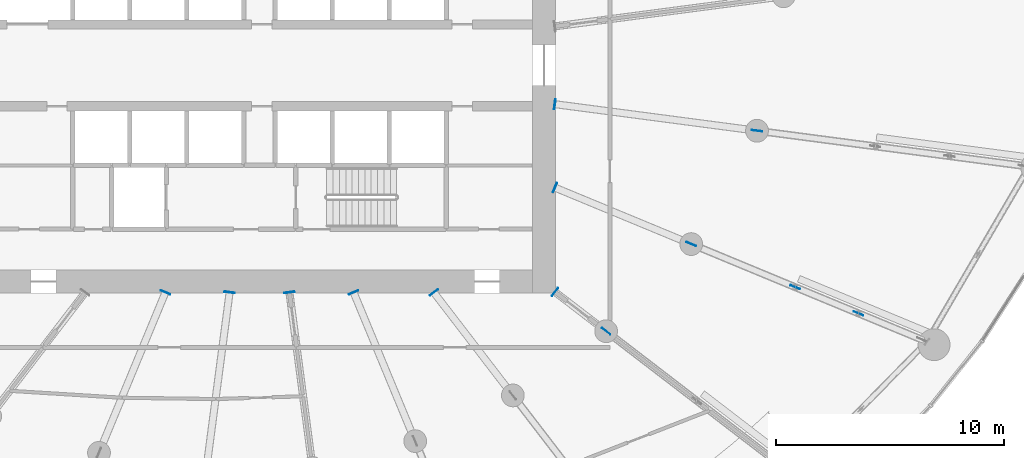
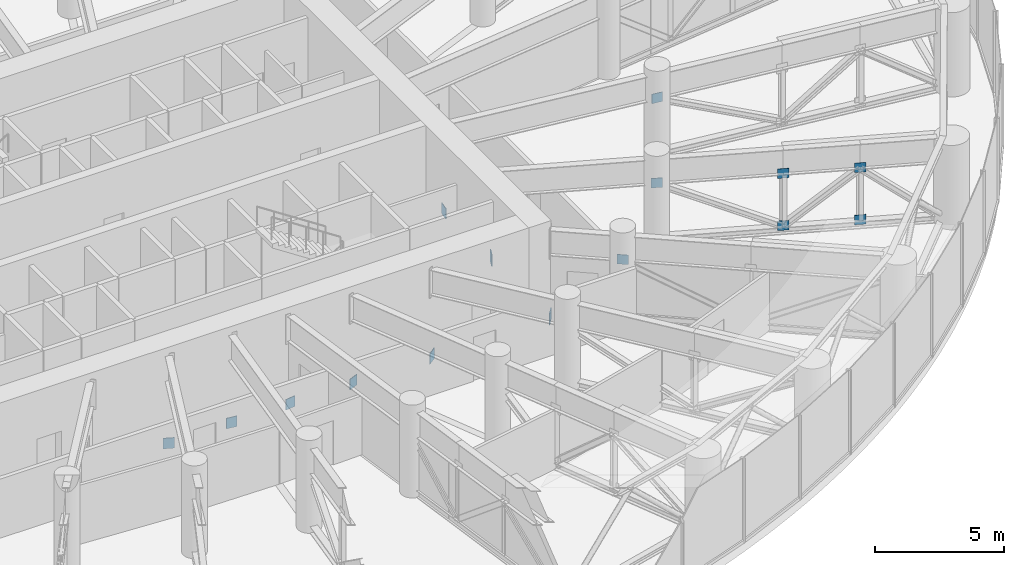
# One storey, part 32 of 42: 15 discrete accessories.
"""IFC4 building model written with IfcOpenShell, lengths in metres."""

import ifcopenshell
import ifcopenshell.guid

model = None  # the IFC model being written
_history = None  # IfcOwnerHistory: only IFC2X3 demands one
_inside = {}  # id of a spatial element -> (the spatial element, [elements in it])
_under = {}  # id of a project, library or spatial element -> (it, [spatial elements below it])
_declared = {}  # id of a project -> (the project, [libraries it declares])
_typed = {}  # id of a type object -> (the type object, [elements of that type])
_made_of = {}  # id of a material, layer set ... -> (it, [elements and type objects made of it])


def new_model(schema):
    """Start an empty IFC model of exactly this schema.

    Asked for "IFC4X3", IfcOpenShell would pick the latest addendum, in which some entities
    have other attributes; the version numbers below select the first issue.
    IFC2X3 requires an IfcOwnerHistory on every rooted entity: one is made here for all.
    """
    global model, _history
    if schema == "IFC4X3":
        model = ifcopenshell.file(schema_version=(4, 3, 0, 0))
    else:
        model = ifcopenshell.file(schema=schema)
    _inside.clear()
    _under.clear()
    _declared.clear()
    _typed.clear()
    _made_of.clear()
    _history = None
    if model.schema == "IFC2X3":
        org = make("IfcOrganization", Name="unknown")
        user = make(
            "IfcPersonAndOrganization",
            ThePerson=make("IfcPerson", FamilyName="unknown"),
            TheOrganization=org,
        )
        app = make(
            "IfcApplication",
            ApplicationDeveloper=org,
            Version="unknown",
            ApplicationFullName="unknown",
            ApplicationIdentifier="unknown",
        )
        _history = make(
            "IfcOwnerHistory",
            OwningUser=user,
            OwningApplication=app,
            ChangeAction="ADDED",
            CreationDate=0,
        )
    return model


def make(cls, **values):
    """One entity of the class cls with the attributes given. An attribute that is None is left unset."""
    return model.create_entity(
        cls, **{name: value for name, value in values.items() if value is not None}
    )


def rooted(cls, **values):
    """An entity with a GlobalId (a new one), such as an element, a storey or a relation."""
    return make(cls, GlobalId=ifcopenshell.guid.new(), OwnerHistory=_history, **values)


def si_unit(unit_type, name, prefix=None):
    """IfcSIUnit, for example si_unit("LENGTHUNIT", "METRE", prefix="MILLI")."""
    return make("IfcSIUnit", UnitType=unit_type, Prefix=prefix, Name=name)


def assignment(units):
    """IfcUnitAssignment: the units of a project."""
    return None if units is None else make("IfcUnitAssignment", Units=units)


def point(xyz):
    """IfcCartesianPoint."""
    return None if xyz is None else make("IfcCartesianPoint", Coordinates=xyz)


def direction(xyz):
    """IfcDirection."""
    return None if xyz is None else make("IfcDirection", DirectionRatios=xyz)


def frame(location, z_axis=None, x_axis=None):
    """IfcAxis2Placement3D, a coordinate frame: its origin and axes. An axis left out is left unset."""
    return make(
        "IfcAxis2Placement3D",
        Location=point(location),
        Axis=direction(z_axis),
        RefDirection=direction(x_axis),
    )


def frame_2d(location, x_axis=None):
    """IfcAxis2Placement2D, a coordinate frame in the plane: its origin and x axis."""
    return make(
        "IfcAxis2Placement2D", Location=point(location), RefDirection=direction(x_axis)
    )


def origin():
    """The frame at (0, 0, 0) with its axes left unset."""
    return frame((0.0, 0.0, 0.0))


def origin_2d():
    """The frame at (0, 0) in the plane with its x axis left unset."""
    return frame_2d((0.0, 0.0))


def place(relative_to, where):
    """IfcLocalPlacement: puts the frame where relative to a parent placement (None: the world)."""
    return make(
        "IfcLocalPlacement", PlacementRelTo=relative_to, RelativePlacement=where
    )


def context(
    kind, dimensions, precision=None, world=None, true_north=None, identifier=None
):
    """IfcGeometricRepresentationContext, for example the 3D "Model" context."""
    return make(
        "IfcGeometricRepresentationContext",
        ContextIdentifier=identifier,
        ContextType=kind,
        CoordinateSpaceDimension=dimensions,
        Precision=precision,
        WorldCoordinateSystem=world,
        TrueNorth=true_north,
    )


def subcontext(parent, identifier, kind, view, scale=None):
    """IfcGeometricRepresentationSubContext, for example "Body" below "Model"."""
    return make(
        "IfcGeometricRepresentationSubContext",
        ContextIdentifier=identifier,
        ContextType=kind,
        ParentContext=parent,
        TargetScale=scale,
        TargetView=view,
    )


def project(units=None, contexts=None):
    """IfcProject with its units and contexts."""
    return rooted(
        "IfcProject",
        Name="project",
        RepresentationContexts=contexts,
        UnitsInContext=assignment(units),
    )


def spatial(cls, under=None, at=None, **own):
    """A site, building, storey or space (cls), placed at a placement, below another one or the project."""
    s = rooted(cls, ObjectPlacement=at, **own)
    if under is not None:
        _under.setdefault(under.id(), (under, []))[1].append(s)
    return s


def profile(cls, at=None, kind="AREA", **sizes):
    """A parametric profile (cls). Its sizes go by their IFC names, for example OverallWidth=200.0."""
    return make(cls, ProfileType=kind, Position=at, **sizes)


def rectangle(**sizes):
    """IfcRectangleProfileDef."""
    return profile("IfcRectangleProfileDef", **sizes)


def extrude(swept, where, along, depth):
    """IfcExtrudedAreaSolid: the profile swept, set in the frame where, extruded along a direction by depth."""
    return make(
        "IfcExtrudedAreaSolid",
        SweptArea=swept,
        Position=where,
        ExtrudedDirection=direction(along),
        Depth=depth,
    )


def shape(context_of_items, identifier, shape_type, items):
    """IfcShapeRepresentation: the items that make up one representation, for example the "Body"."""
    return make(
        "IfcShapeRepresentation",
        ContextOfItems=context_of_items,
        RepresentationIdentifier=identifier,
        RepresentationType=shape_type,
        Items=items,
    )


def source(mapping_origin, context_of_items, identifier, shape_type, items):
    """IfcRepresentationMap: a shape defined once, which mapped items show again and again."""
    return make(
        "IfcRepresentationMap",
        MappingOrigin=mapping_origin,
        MappedRepresentation=shape(context_of_items, identifier, shape_type, items),
    )


def transform(
    local_origin,
    x_axis=None,
    y_axis=None,
    z_axis=None,
    scale=None,
    scale2=None,
    scale3=None,
    uniform=True,
):
    """IfcCartesianTransformationOperator3D, or its non-uniform kind. x_axis, y_axis, z_axis: its Axis1, 2, 3."""
    if uniform:
        return make(
            "IfcCartesianTransformationOperator3D",
            Axis1=direction(x_axis),
            Axis2=direction(y_axis),
            LocalOrigin=point(local_origin),
            Scale=scale,
            Axis3=direction(z_axis),
        )
    return make(
        "IfcCartesianTransformationOperator3DnonUniform",
        Axis1=direction(x_axis),
        Axis2=direction(y_axis),
        LocalOrigin=point(local_origin),
        Scale=scale,
        Axis3=direction(z_axis),
        Scale2=scale2,
        Scale3=scale3,
    )


def mapped(mapping_source, mapping_target):
    """IfcMappedItem: shows the shape of a source again, moved by a transform."""
    return make(
        "IfcMappedItem", MappingSource=mapping_source, MappingTarget=mapping_target
    )


def material(Name=None, Category=None):
    """IfcMaterial."""
    return make("IfcMaterial", Name=Name, Category=Category)


def layer(
    of_material, thickness, ventilated=None, Name=None, Category=None, Priority=None
):
    """IfcMaterialLayer: one layer of a wall or slab, of a material (None: an air gap)."""
    return make(
        "IfcMaterialLayer",
        Material=of_material,
        LayerThickness=thickness,
        IsVentilated=ventilated,
        Name=Name,
        Category=Category,
        Priority=Priority,
    )


def layer_set(layers, Name=None):
    """IfcMaterialLayerSet."""
    return make("IfcMaterialLayerSet", MaterialLayers=layers, LayerSetName=Name)


def made_of(thing, what):
    """Note that an element or type object is made of a material, layer set ...; save() writes the relation."""
    if what is not None:
        _made_of.setdefault(what.id(), (what, []))[1].append(thing)
    return thing


def type_object(cls, material=None, **own):
    """A type object (cls), such as IfcWallType, which elements share."""
    return made_of(rooted(cls, **own), material)


def element(
    cls,
    number,
    at=None,
    inside=None,
    cuts=None,
    type_object=None,
    material=None,
    context=None,
    identifier="Body",
    shape_type=None,
    held_by="IfcProductDefinitionShape",
    body=None,
    shapes=None,
    **own,
):
    """One element of the class cls, such as IfcWall. Its Tag is "e" and its number.

    at: its placement. inside: the storey or other place that contains it. cuts: it is an
    opening in that element (IfcRelVoidsElement). A single representation is given by context,
    identifier, shape_type and body (its items); several are given by shapes. held_by: the class
    of the entity that holds the representations. save() writes the other relations.
    """
    e = rooted(cls, Tag="e%d" % number, ObjectPlacement=at, **own)
    if body is not None:
        shapes = [shape(context, identifier, shape_type, body)]
    if shapes is not None:
        e.Representation = make(held_by, Representations=shapes)
    if inside is not None:
        _inside.setdefault(inside.id(), (inside, []))[1].append(e)
    if cuts is not None:
        rooted(
            "IfcRelVoidsElement", RelatingBuildingElement=cuts, RelatedOpeningElement=e
        )
    if type_object is not None:
        _typed.setdefault(type_object.id(), (type_object, []))[1].append(e)
    return made_of(e, material)


def aggregate(whole, parts):
    """IfcRelAggregates: a whole, such as a stair, and the parts it consists of."""
    return rooted("IfcRelAggregates", RelatingObject=whole, RelatedObjects=parts)


def save(model, path):
    """Write the relations noted so far, then the file.

    IfcRelAggregates (storeys below a building ...), IfcRelContainedInSpatialStructure (elements
    in a storey), IfcRelDefinesByType, IfcRelAssociatesMaterial and IfcRelDeclares: one each for
    every whole, place, type object, material and project.
    """
    for whole, parts in _under.values():
        aggregate(whole, parts)
    for where, things in _inside.values():
        rooted(
            "IfcRelContainedInSpatialStructure",
            RelatedElements=things,
            RelatingStructure=where,
        )
    for kind, things in _typed.values():
        rooted("IfcRelDefinesByType", RelatedObjects=things, RelatingType=kind)
    for what, things in _made_of.values():
        rooted("IfcRelAssociatesMaterial", RelatedObjects=things, RelatingMaterial=what)
    for by, libraries in _declared.values():
        rooted("IfcRelDeclares", RelatingContext=by, RelatedDefinitions=libraries)
    model.write(path)


model = new_model("IFC4")

# Units and contexts
model_context = context("Model", 3, precision=1e-05, world=origin(), true_north=direction((0.0, 1.0)))
body_context = subcontext(model_context, "Body", "Model", "MODEL_VIEW")
ifc_project = project(units=[si_unit("LENGTHUNIT", "METRE"), si_unit("AREAUNIT", "SQUARE_METRE"), si_unit("VOLUMEUNIT", "CUBIC_METRE"), si_unit("PLANEANGLEUNIT", "RADIAN"), si_unit("MASSUNIT", "GRAM", prefix="KILO")], contexts=[model_context])

# Site, building, storey
site_placement = place(None, origin())
site = spatial("IfcSite", under=ifc_project, at=site_placement, CompositionType="ELEMENT")
building_placement = place(site_placement, origin())
building = spatial("IfcBuilding", under=site, at=building_placement, Name="Spindrift Exchange Tower", CompositionType="ELEMENT")
storey_placement = place(building_placement, frame((0.0, 0.0, 75.39990234375)))
storey = spatial("IfcBuildingStorey", under=building, at=storey_placement, Name="L17", CompositionType="ELEMENT", Elevation=75.39990234375)

# Discrete accessories
ifc_material = material(Name="Steel Grade 350", Category="steel")
ifc_layer_1 = layer(ifc_material, 0.031982421875)
ifc_layer_set_1 = layer_set([ifc_layer_1], Name="Cast-in plate 450x500x32 Steel Grade 350")
discrete_accessory_type_1 = type_object("IfcDiscreteAccessoryType", Name="Cast-in plate 450x500x32 Steel Grade 350", PredefinedType="USERDEFINED", material=ifc_layer_set_1)
shared_shape_1 = source(origin(), body_context, "Body", "SweptSolid", [
    extrude(rectangle(XDim=0.031982421875, YDim=0.449951171875, at=origin_2d()), origin(), (0.0, 0.0, 1.0), 0.5),
])
for number, where, z_axis, x_axis, name in (
    (1, (47.865478515625, 38.0185546875, -0.413330078125), (0.0, 0.0, 1.0), (-0.382683432365, -0.923879532511, 0.0), "L17 cast-in plate CP2 17"),
    (2, (50.68603515625, 38.019775390625, -0.413330078125), (0.0, 0.0, 1.0), (-0.13052619222, -0.991444861374, 0.0), "L17 cast-in plate CP2 18"),
    (3, (53.31396484375, 38.019775390625, -0.413330078125), (0.0, 0.0, 1.0), (0.13052619222, -0.991444861374, 0.0), "L17 cast-in plate CP2 19"),
    (4, (56.134521484375, 38.0185546875, -0.413330078125), (0.0, 0.0, 1.0), (0.382683432365, -0.923879532511, 0.0), "L17 cast-in plate CP2 20"),
    (5, (59.6611328125, 38.015869140625, -0.413330078125), (0.0, 0.0, 1.0), (0.608761429009, -0.793353340291, 0.0), "L17 cast-in plate CP2 21"),
    (6, (64.984130859375, 38.036865234375, -0.413330078125), (0.0, 0.0, 1.0), (0.793353340291, -0.608761429009, 0.0), "L17 cast-in plate CP2 22"),
    (7, (64.9814453125, 42.622802734375, -0.413330078125), (0.0, 0.0, 1.0), (0.923879532511, -0.382683432365, 0.0), "L17 cast-in plate CP2 23"),
    (8, (64.980224609375, 46.291015625, -0.413330078125), (0.0, 0.0, 1.0), (0.991444861374, -0.13052619222, 0.0), "L17 cast-in plate CP2 24"),
):
    element("IfcDiscreteAccessory", number, at=place(storey_placement, frame(where, z_axis=z_axis, x_axis=x_axis)), inside=storey, type_object=discrete_accessory_type_1, Name=name, ObjectType="Cast-in plate", PredefinedType="USERDEFINED", context=body_context, shape_type="MappedRepresentation", body=[
        mapped(shared_shape_1, transform((0.0, 0.0, 0.0), scale=1.0)),
    ])
ifc_layer_2 = layer(ifc_material, 0.02490234375)
ifc_layer_set_2 = layer_set([ifc_layer_2], Name="Gusset plate 450x450x25 Steel Grade 350")
discrete_accessory_type_2 = type_object("IfcDiscreteAccessoryType", Name="Gusset plate 450x450x25 Steel Grade 350", PredefinedType="USERDEFINED", material=ifc_layer_set_2)
shared_shape_2 = source(origin(), body_context, "Body", "SweptSolid", [
    extrude(rectangle(XDim=0.449951171875, YDim=0.02490234375, at=origin_2d()), origin(), (0.0, 0.0, 1.0), 0.449951171875),
])
for number, where, z_axis, x_axis, name in (
    (9, (67.232421875, 36.311767578125, 2.5751953125), (0.0, 0.0, 1.0), (0.793348027815, -0.6087683523, 0.0), "L17 gusset plate GP1 22"),
    (10, (70.972412109375, 40.141357421875, 2.5751953125), (0.0, 0.0, 1.0), (0.923882872019, -0.382675369981, 0.0), "L17 gusset plate GP1 23"),
    (11, (75.5478515625, 38.24609375, 0.10205078125), (0.0, 0.0, 1.0), (0.923882872019, -0.382675369981, 0.0), "L17 gusset plate GP1 23"),
    (12, (78.328125, 37.094482421875, 2.5751953125), (0.0, 0.0, 1.0), (0.923876860854, -0.382689882252, 0.0), "L17 gusset plate GP1 23"),
    (13, (75.5478515625, 38.24609375, 2.5751953125), (0.0, 0.0, 1.0), (0.923879532511, -0.382683432365, 0.0), "L17 gusset plate GP1 23"),
    (14, (78.328125, 37.094482421875, 0.10205078125), (0.0, 0.0, 1.0), (0.923879532511, -0.382683432365, 0.0), "L17 gusset plate GP1 23"),
    (15, (73.86328125, 45.12158203125, 2.5751953125), (0.0, 0.0, 1.0), (0.991443950105, -0.130533113808, 0.0), "L17 gusset plate GP1 24"),
):
    element("IfcDiscreteAccessory", number, at=place(storey_placement, frame(where, z_axis=z_axis, x_axis=x_axis)), inside=storey, type_object=discrete_accessory_type_2, Name=name, ObjectType="Gusset plate", PredefinedType="USERDEFINED", context=body_context, shape_type="MappedRepresentation", body=[
        mapped(shared_shape_2, transform((0.0, 0.0, 0.0), scale=1.0)),
    ])

save(model, "model.ifc")
